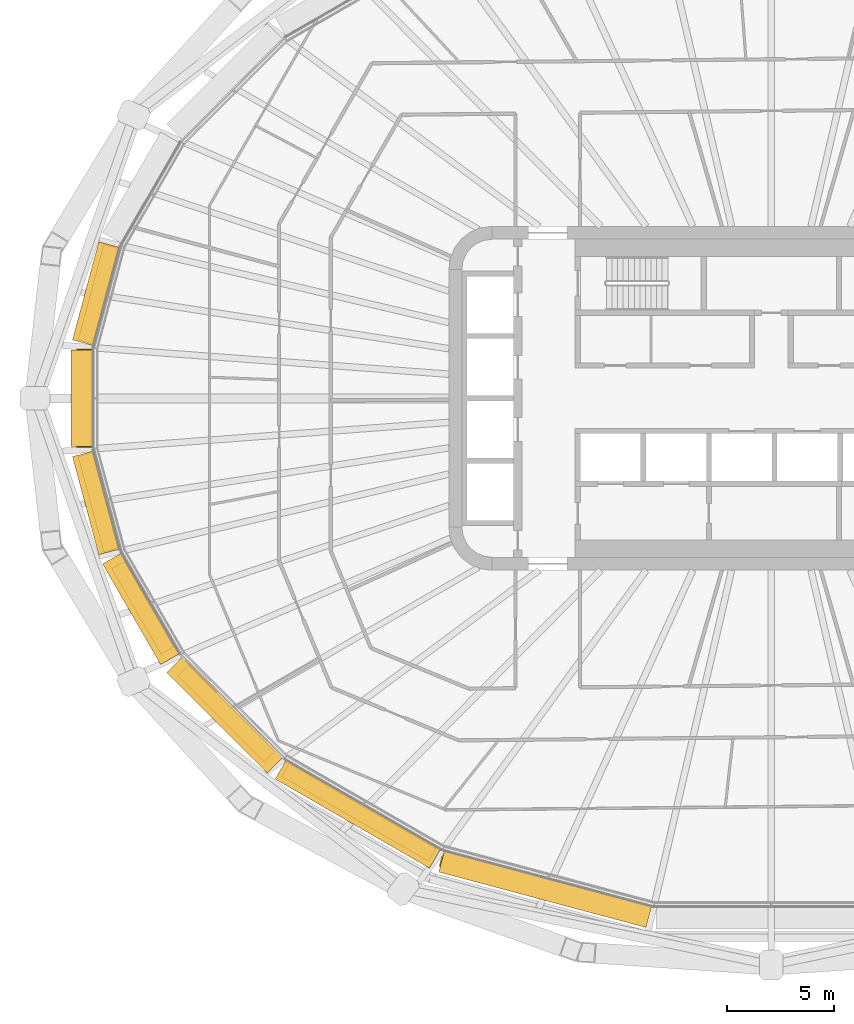
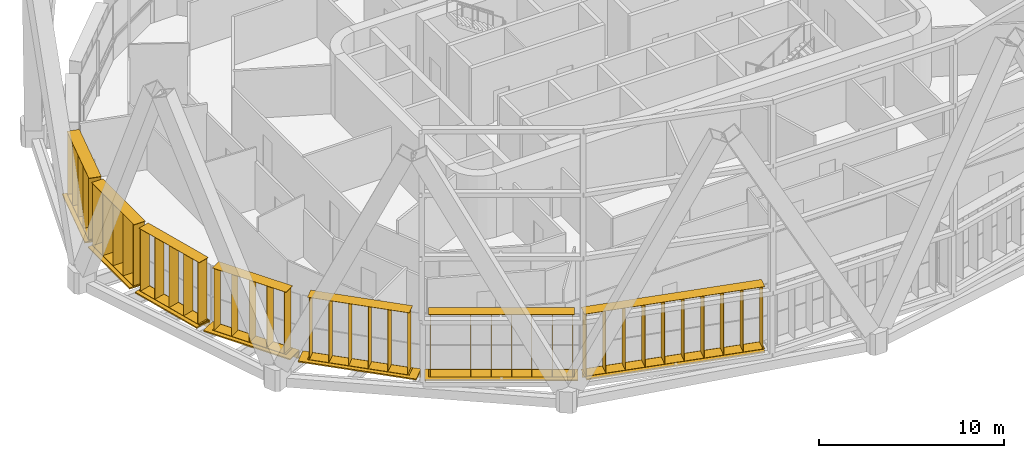
# One storey, part 20 of 25: 14 shading devices.
"""IFC4 building model written with IfcOpenShell, lengths in metres."""

from ifc_helpers import new_model, si_unit, direction, frame, origin, origin_2d, place, context, subcontext, project, spatial, rectangle, extrude, material, type_object, element, save


model = new_model("IFC4")

# Units and contexts
model_context = context("Model", 3, precision=1e-05, world=origin(), true_north=direction((0.0, 1.0)))
body_context = subcontext(model_context, "Body", "Model", "MODEL_VIEW")
ifc_project = project(units=[si_unit("LENGTHUNIT", "METRE"), si_unit("AREAUNIT", "SQUARE_METRE"), si_unit("VOLUMEUNIT", "CUBIC_METRE"), si_unit("PLANEANGLEUNIT", "RADIAN"), si_unit("MASSUNIT", "GRAM", prefix="KILO")], contexts=[model_context])

# Site, building, storey
site_placement = place(None, origin())
site = spatial("IfcSite", under=ifc_project, at=site_placement, CompositionType="ELEMENT")
building_placement = place(site_placement, origin())
building = spatial("IfcBuilding", under=site, at=building_placement, Name="Sahrelin Media Tower", CompositionType="ELEMENT")
storey_placement = place(building_placement, frame((0.0, 0.0, 79.800048828125)))
storey = spatial("IfcBuildingStorey", under=building, at=storey_placement, Name="L14", CompositionType="ELEMENT", Elevation=79.800048828125)

# Shading devices
ifc_material = material(Name="Champagne anodised aluminium 6063-T6", Category="aluminium")
shading_device_type_1 = type_object("IfcShadingDeviceType", Name="Fin cassette", PredefinedType="USERDEFINED", material=ifc_material)
placement_1 = place(storey_placement, frame((-30.915283203125, 4.732666015625, 0.0), z_axis=(0.0, 0.0, 1.0), x_axis=(0.258807731996, 0.965928857556, 0.0)))
element("IfcShadingDevice", 1, at=placement_1, inside=storey, type_object=shading_device_type_1, Name="L14:FIN:L14-11", ObjectType="FIN", PredefinedType="USERDEFINED", context=body_context, shape_type="SweptSolid", body=[
    extrude(rectangle(XDim=4.60009765625, YDim=0.699951171875, at=origin_2d()), frame((0.0, 0.419921875, 0.0)), (0.0, 0.0, 1.0), 0.02001953125),
    extrude(rectangle(XDim=4.60009765625, YDim=0.699951171875, at=origin_2d()), frame((0.0, 0.419921875, 4.10009765625)), (0.0, 0.0, 1.0), 0.02001953125),
    extrude(rectangle(XDim=0.02001953125, YDim=0.699951171875, at=origin_2d()), frame((-2.199951171875, 0.419921875, 0.010009765625), z_axis=(0.0, 0.0, 1.0), x_axis=(1.0, 0.0, 0.0)), (0.0, 0.0, 1.0), 4.10009765625),
    extrude(rectangle(XDim=0.02001953125, YDim=0.699951171875, at=origin_2d()), frame((-1.10009765625, 0.419921875, 0.010009765625), z_axis=(0.0, 0.0, 1.0), x_axis=(1.0, 0.0, 0.0)), (0.0, 0.0, 1.0), 4.10009765625),
    extrude(rectangle(XDim=0.02001953125, YDim=0.699951171875, at=origin_2d()), frame((0.0, 0.419921875, 0.010009765625), z_axis=(0.0, 0.0, 1.0), x_axis=(1.0, 0.0, 0.0)), (0.0, 0.0, 1.0), 4.10009765625),
    extrude(rectangle(XDim=0.02001953125, YDim=0.699951171875, at=origin_2d()), frame((1.10009765625, 0.419921875, 0.010009765625), z_axis=(0.0, 0.0, 1.0), x_axis=(1.0, 0.0, 0.0)), (0.0, 0.0, 1.0), 4.10009765625),
    extrude(rectangle(XDim=0.02001953125, YDim=0.699951171875, at=origin_2d()), frame((2.199951171875, 0.419921875, 0.010009765625), z_axis=(0.0, 0.0, 1.0), x_axis=(1.0, 0.0, 0.0)), (0.0, 0.0, 1.0), 4.10009765625),
])
placement_2 = place(storey_placement, frame((-31.552490234375, 0.0, 0.0), z_axis=(0.0, 0.0, 1.0), x_axis=(0.0, 1.0, 0.0)))
element("IfcShadingDevice", 2, at=placement_2, inside=storey, type_object=shading_device_type_1, Name="L14:FIN:L14-12", ObjectType="FIN", PredefinedType="USERDEFINED", context=body_context, shape_type="SweptSolid", body=[
    extrude(rectangle(XDim=4.60009765625, YDim=0.699951171875, at=origin_2d()), frame((0.0, 0.419921875, 0.0)), (0.0, 0.0, 1.0), 0.02001953125),
    extrude(rectangle(XDim=4.60009765625, YDim=0.699951171875, at=origin_2d()), frame((0.0, 0.419921875, 4.10009765625)), (0.0, 0.0, 1.0), 0.02001953125),
    extrude(rectangle(XDim=0.02001953125, YDim=0.699951171875, at=origin_2d()), frame((-2.199951171875, 0.419921875, 0.010009765625), z_axis=(0.0, 0.0, 1.0), x_axis=(1.0, 0.0, 0.0)), (0.0, 0.0, 1.0), 4.10009765625),
    extrude(rectangle(XDim=0.02001953125, YDim=0.699951171875, at=origin_2d()), frame((-1.10009765625, 0.419921875, 0.010009765625), z_axis=(0.0, 0.0, 1.0), x_axis=(1.0, 0.0, 0.0)), (0.0, 0.0, 1.0), 4.10009765625),
    extrude(rectangle(XDim=0.02001953125, YDim=0.699951171875, at=origin_2d()), frame((0.0, 0.419921875, 0.010009765625), z_axis=(0.0, 0.0, 1.0), x_axis=(1.0, 0.0, 0.0)), (0.0, 0.0, 1.0), 4.10009765625),
    extrude(rectangle(XDim=0.02001953125, YDim=0.699951171875, at=origin_2d()), frame((1.10009765625, 0.419921875, 0.010009765625), z_axis=(0.0, 0.0, 1.0), x_axis=(1.0, 0.0, 0.0)), (0.0, 0.0, 1.0), 4.10009765625),
    extrude(rectangle(XDim=0.02001953125, YDim=0.699951171875, at=origin_2d()), frame((2.199951171875, 0.419921875, 0.010009765625), z_axis=(0.0, 0.0, 1.0), x_axis=(1.0, 0.0, 0.0)), (0.0, 0.0, 1.0), 4.10009765625),
])
placement_3 = place(storey_placement, frame((-30.915283203125, -4.732666015625, 0.0), z_axis=(0.0, 0.0, 1.0), x_axis=(-0.258807731996, 0.965928857556, 0.0)))
element("IfcShadingDevice", 3, at=placement_3, inside=storey, type_object=shading_device_type_1, Name="L14:FIN:L14-13", ObjectType="FIN", PredefinedType="USERDEFINED", context=body_context, shape_type="SweptSolid", body=[
    extrude(rectangle(XDim=4.60009765625, YDim=0.699951171875, at=origin_2d()), frame((0.0, 0.419921875, 0.0)), (0.0, 0.0, 1.0), 0.02001953125),
    extrude(rectangle(XDim=4.60009765625, YDim=0.699951171875, at=origin_2d()), frame((0.0, 0.419921875, 4.10009765625)), (0.0, 0.0, 1.0), 0.02001953125),
    extrude(rectangle(XDim=0.02001953125, YDim=0.699951171875, at=origin_2d()), frame((-2.199951171875, 0.419921875, 0.010009765625), z_axis=(0.0, 0.0, 1.0), x_axis=(1.0, 0.0, 0.0)), (0.0, 0.0, 1.0), 4.10009765625),
    extrude(rectangle(XDim=0.02001953125, YDim=0.699951171875, at=origin_2d()), frame((-1.10009765625, 0.419921875, 0.010009765625), z_axis=(0.0, 0.0, 1.0), x_axis=(1.0, 0.0, 0.0)), (0.0, 0.0, 1.0), 4.10009765625),
    extrude(rectangle(XDim=0.02001953125, YDim=0.699951171875, at=origin_2d()), frame((0.0, 0.419921875, 0.010009765625), z_axis=(0.0, 0.0, 1.0), x_axis=(1.0, 0.0, 0.0)), (0.0, 0.0, 1.0), 4.10009765625),
    extrude(rectangle(XDim=0.02001953125, YDim=0.699951171875, at=origin_2d()), frame((1.10009765625, 0.419921875, 0.010009765625), z_axis=(0.0, 0.0, 1.0), x_axis=(1.0, 0.0, 0.0)), (0.0, 0.0, 1.0), 4.10009765625),
    extrude(rectangle(XDim=0.02001953125, YDim=0.699951171875, at=origin_2d()), frame((2.199951171875, 0.419921875, 0.010009765625), z_axis=(0.0, 0.0, 1.0), x_axis=(1.0, 0.0, 0.0)), (0.0, 0.0, 1.0), 4.10009765625),
])
placement_4 = place(storey_placement, frame((-28.876708984375, -9.5380859375, 0.0), z_axis=(0.0, 0.0, 1.0), x_axis=(-0.500011000363, 0.866019052629, 0.0)))
element("IfcShadingDevice", 4, at=placement_4, inside=storey, type_object=shading_device_type_1, Name="L14:FIN:L14-14", ObjectType="FIN", PredefinedType="USERDEFINED", context=body_context, shape_type="SweptSolid", body=[
    extrude(rectangle(XDim=4.60009765625, YDim=0.699951171875, at=origin_2d()), frame((0.0, 0.419921875, 0.0)), (0.0, 0.0, 1.0), 0.02001953125),
    extrude(rectangle(XDim=4.60009765625, YDim=0.699951171875, at=origin_2d()), frame((0.0, 0.419921875, 4.10009765625)), (0.0, 0.0, 1.0), 0.02001953125),
    extrude(rectangle(XDim=0.02001953125, YDim=0.699951171875, at=origin_2d()), frame((-2.199951171875, 0.419921875, 0.010009765625), z_axis=(0.0, 0.0, 1.0), x_axis=(1.0, 0.0, 0.0)), (0.0, 0.0, 1.0), 4.10009765625),
    extrude(rectangle(XDim=0.02001953125, YDim=0.699951171875, at=origin_2d()), frame((-1.10009765625, 0.419921875, 0.010009765625), z_axis=(0.0, 0.0, 1.0), x_axis=(1.0, 0.0, 0.0)), (0.0, 0.0, 1.0), 4.10009765625),
    extrude(rectangle(XDim=0.02001953125, YDim=0.699951171875, at=origin_2d()), frame((0.0, 0.419921875, 0.010009765625), z_axis=(0.0, 0.0, 1.0), x_axis=(1.0, 0.0, 0.0)), (0.0, 0.0, 1.0), 4.10009765625),
    extrude(rectangle(XDim=0.02001953125, YDim=0.699951171875, at=origin_2d()), frame((1.10009765625, 0.419921875, 0.010009765625), z_axis=(0.0, 0.0, 1.0), x_axis=(1.0, 0.0, 0.0)), (0.0, 0.0, 1.0), 4.10009765625),
    extrude(rectangle(XDim=0.02001953125, YDim=0.699951171875, at=origin_2d()), frame((2.199951171875, 0.419921875, 0.010009765625), z_axis=(0.0, 0.0, 1.0), x_axis=(1.0, 0.0, 0.0)), (0.0, 0.0, 1.0), 4.10009765625),
])
placement_5 = place(storey_placement, frame((-25.067138671875, -14.373291015625, 0.0), z_axis=(0.0, 0.0, 1.0), x_axis=(-0.707106781187, 0.707106781187, 0.0)))
element("IfcShadingDevice", 5, at=placement_5, inside=storey, type_object=shading_device_type_1, Name="L14:FIN:L14-15", ObjectType="FIN", PredefinedType="USERDEFINED", context=body_context, shape_type="SweptSolid", body=[
    extrude(rectangle(XDim=5.699951171875, YDim=0.699951171875, at=origin_2d()), frame((0.0, 0.419921875, 0.0)), (0.0, 0.0, 1.0), 0.02001953125),
    extrude(rectangle(XDim=5.699951171875, YDim=0.699951171875, at=origin_2d()), frame((0.0, 0.419921875, 4.10009765625)), (0.0, 0.0, 1.0), 0.02001953125),
    extrude(rectangle(XDim=0.02001953125, YDim=0.699951171875, at=origin_2d()), frame((-2.75, 0.419921875, 0.010009765625), z_axis=(0.0, 0.0, 1.0), x_axis=(1.0, 0.0, 0.0)), (0.0, 0.0, 1.0), 4.10009765625),
    extrude(rectangle(XDim=0.02001953125, YDim=0.699951171875, at=origin_2d()), frame((-1.64990234375, 0.419921875, 0.010009765625), z_axis=(0.0, 0.0, 1.0), x_axis=(1.0, 0.0, 0.0)), (0.0, 0.0, 1.0), 4.10009765625),
    extrude(rectangle(XDim=0.02001953125, YDim=0.699951171875, at=origin_2d()), frame((-0.550048828125, 0.419921875, 0.010009765625), z_axis=(0.0, 0.0, 1.0), x_axis=(1.0, 0.0, 0.0)), (0.0, 0.0, 1.0), 4.10009765625),
    extrude(rectangle(XDim=0.02001953125, YDim=0.699951171875, at=origin_2d()), frame((0.550048828125, 0.419921875, 0.010009765625), z_axis=(0.0, 0.0, 1.0), x_axis=(1.0, 0.0, 0.0)), (0.0, 0.0, 1.0), 4.10009765625),
    extrude(rectangle(XDim=0.02001953125, YDim=0.699951171875, at=origin_2d()), frame((1.64990234375, 0.419921875, 0.010009765625), z_axis=(0.0, 0.0, 1.0), x_axis=(1.0, 0.0, 0.0)), (0.0, 0.0, 1.0), 4.10009765625),
    extrude(rectangle(XDim=0.02001953125, YDim=0.699951171875, at=origin_2d()), frame((2.75, 0.419921875, 0.010009765625), z_axis=(0.0, 0.0, 1.0), x_axis=(1.0, 0.0, 0.0)), (0.0, 0.0, 1.0), 4.10009765625),
])
placement_6 = place(storey_placement, frame((-18.980712890625, -18.905029296875, 0.0), z_axis=(0.0, 0.0, 1.0), x_axis=(-0.866019052629, 0.500011000363, 0.0)))
element("IfcShadingDevice", 6, at=placement_6, inside=storey, type_object=shading_device_type_1, Name="L14:FIN:L14-16", ObjectType="FIN", PredefinedType="USERDEFINED", context=body_context, shape_type="SweptSolid", body=[
    extrude(rectangle(XDim=7.89990234375, YDim=0.699951171875, at=origin_2d()), frame((0.0, 0.419921875, 0.0)), (0.0, 0.0, 1.0), 0.02001953125),
    extrude(rectangle(XDim=7.89990234375, YDim=0.699951171875, at=origin_2d()), frame((0.0, 0.419921875, 4.10009765625)), (0.0, 0.0, 1.0), 0.02001953125),
    extrude(rectangle(XDim=0.02001953125, YDim=0.699951171875, at=origin_2d()), frame((-3.85009765625, 0.419921875, 0.010009765625), z_axis=(0.0, 0.0, 1.0), x_axis=(1.0, 0.0, 0.0)), (0.0, 0.0, 1.0), 4.10009765625),
    extrude(rectangle(XDim=0.02001953125, YDim=0.699951171875, at=origin_2d()), frame((-2.75, 0.419921875, 0.010009765625), z_axis=(0.0, 0.0, 1.0), x_axis=(1.0, 0.0, 0.0)), (0.0, 0.0, 1.0), 4.10009765625),
    extrude(rectangle(XDim=0.02001953125, YDim=0.699951171875, at=origin_2d()), frame((-1.64990234375, 0.419921875, 0.010009765625), z_axis=(0.0, 0.0, 1.0), x_axis=(1.0, 0.0, 0.0)), (0.0, 0.0, 1.0), 4.10009765625),
    extrude(rectangle(XDim=0.02001953125, YDim=0.699951171875, at=origin_2d()), frame((-0.550048828125, 0.419921875, 0.010009765625), z_axis=(0.0, 0.0, 1.0), x_axis=(1.0, 0.0, 0.0)), (0.0, 0.0, 1.0), 4.10009765625),
    extrude(rectangle(XDim=0.02001953125, YDim=0.699951171875, at=origin_2d()), frame((0.550048828125, 0.419921875, 0.010009765625), z_axis=(0.0, 0.0, 1.0), x_axis=(1.0, 0.0, 0.0)), (0.0, 0.0, 1.0), 4.10009765625),
    extrude(rectangle(XDim=0.02001953125, YDim=0.699951171875, at=origin_2d()), frame((1.64990234375, 0.419921875, 0.010009765625), z_axis=(0.0, 0.0, 1.0), x_axis=(1.0, 0.0, 0.0)), (0.0, 0.0, 1.0), 4.10009765625),
    extrude(rectangle(XDim=0.02001953125, YDim=0.699951171875, at=origin_2d()), frame((2.75, 0.419921875, 0.010009765625), z_axis=(0.0, 0.0, 1.0), x_axis=(1.0, 0.0, 0.0)), (0.0, 0.0, 1.0), 4.10009765625),
    extrude(rectangle(XDim=0.02001953125, YDim=0.699951171875, at=origin_2d()), frame((3.85009765625, 0.419921875, 0.010009765625), z_axis=(0.0, 0.0, 1.0), x_axis=(1.0, 0.0, 0.0)), (0.0, 0.0, 1.0), 4.10009765625),
])
placement_7 = place(storey_placement, frame((-10.385009765625, -22.346435546875, 0.0), z_axis=(0.0, 0.0, 1.0), x_axis=(-0.965928857556, 0.258807731996, 0.0)))
element("IfcShadingDevice", 7, at=placement_7, inside=storey, type_object=shading_device_type_1, Name="L14:FIN:L14-17", ObjectType="FIN", PredefinedType="USERDEFINED", context=body_context, shape_type="SweptSolid", body=[
    extrude(rectangle(XDim=10.10009765625, YDim=0.699951171875, at=origin_2d()), frame((0.0, 0.419921875, 0.0)), (0.0, 0.0, 1.0), 0.02001953125),
    extrude(rectangle(XDim=10.10009765625, YDim=0.699951171875, at=origin_2d()), frame((0.0, 0.419921875, 4.10009765625)), (0.0, 0.0, 1.0), 0.02001953125),
    extrude(rectangle(XDim=0.02001953125, YDim=0.699951171875, at=origin_2d()), frame((-4.949951171875, 0.419921875, 0.010009765625), z_axis=(0.0, 0.0, 1.0), x_axis=(1.0, 0.0, 0.0)), (0.0, 0.0, 1.0), 4.10009765625),
    extrude(rectangle(XDim=0.02001953125, YDim=0.699951171875, at=origin_2d()), frame((-3.85009765625, 0.419921875, 0.010009765625), z_axis=(0.0, 0.0, 1.0), x_axis=(1.0, 0.0, 0.0)), (0.0, 0.0, 1.0), 4.10009765625),
    extrude(rectangle(XDim=0.02001953125, YDim=0.699951171875, at=origin_2d()), frame((-2.75, 0.419921875, 0.010009765625), z_axis=(0.0, 0.0, 1.0), x_axis=(1.0, 0.0, 0.0)), (0.0, 0.0, 1.0), 4.10009765625),
    extrude(rectangle(XDim=0.02001953125, YDim=0.699951171875, at=origin_2d()), frame((-1.64990234375, 0.419921875, 0.010009765625), z_axis=(0.0, 0.0, 1.0), x_axis=(1.0, 0.0, 0.0)), (0.0, 0.0, 1.0), 4.10009765625),
    extrude(rectangle(XDim=0.02001953125, YDim=0.699951171875, at=origin_2d()), frame((-0.550048828125, 0.419921875, 0.010009765625), z_axis=(0.0, 0.0, 1.0), x_axis=(1.0, 0.0, 0.0)), (0.0, 0.0, 1.0), 4.10009765625),
    extrude(rectangle(XDim=0.02001953125, YDim=0.699951171875, at=origin_2d()), frame((0.550048828125, 0.419921875, 0.010009765625), z_axis=(0.0, 0.0, 1.0), x_axis=(1.0, 0.0, 0.0)), (0.0, 0.0, 1.0), 4.10009765625),
    extrude(rectangle(XDim=0.02001953125, YDim=0.699951171875, at=origin_2d()), frame((1.64990234375, 0.419921875, 0.010009765625), z_axis=(0.0, 0.0, 1.0), x_axis=(1.0, 0.0, 0.0)), (0.0, 0.0, 1.0), 4.10009765625),
    extrude(rectangle(XDim=0.02001953125, YDim=0.699951171875, at=origin_2d()), frame((2.75, 0.419921875, 0.010009765625), z_axis=(0.0, 0.0, 1.0), x_axis=(1.0, 0.0, 0.0)), (0.0, 0.0, 1.0), 4.10009765625),
    extrude(rectangle(XDim=0.02001953125, YDim=0.699951171875, at=origin_2d()), frame((3.85009765625, 0.419921875, 0.010009765625), z_axis=(0.0, 0.0, 1.0), x_axis=(1.0, 0.0, 0.0)), (0.0, 0.0, 1.0), 4.10009765625),
    extrude(rectangle(XDim=0.02001953125, YDim=0.699951171875, at=origin_2d()), frame((4.949951171875, 0.419921875, 0.010009765625), z_axis=(0.0, 0.0, 1.0), x_axis=(1.0, 0.0, 0.0)), (0.0, 0.0, 1.0), 4.10009765625),
])
shading_device_type_2 = type_object("IfcShadingDeviceType", Name="Sunshade band", PredefinedType="USERDEFINED", material=ifc_material)
element("IfcShadingDevice", 8, at=placement_1, inside=storey, type_object=shading_device_type_2, Name="L14:SUN:L14-11", ObjectType="SUNSHADE", PredefinedType="USERDEFINED", context=body_context, shape_type="SweptSolid", body=[
    extrude(rectangle(XDim=4.724609375, YDim=0.050048828125, at=origin_2d()), frame((0.0, 0.044921875, -0.55126953125)), (0.0, 0.0, 1.0), 0.471435546875),
    extrude(rectangle(XDim=4.724609375, YDim=1.0, at=origin_2d()), frame((0.0, 0.52001953125, -0.080078125)), (0.0, 0.0, 1.0), 0.080078125),
    extrude(rectangle(XDim=0.10009765625, YDim=0.074951171875, at=origin_2d()), frame((-2.26220703125, -0.017578125, -0.47021484375)), (0.0, 0.0, 1.0), 0.300048828125),
    extrude(rectangle(XDim=0.10009765625, YDim=0.074951171875, at=origin_2d()), frame((-0.754150390625, -0.017578125, -0.47021484375)), (0.0, 0.0, 1.0), 0.300048828125),
    extrude(rectangle(XDim=0.10009765625, YDim=0.074951171875, at=origin_2d()), frame((0.754150390625, -0.017578125, -0.47021484375)), (0.0, 0.0, 1.0), 0.300048828125),
    extrude(rectangle(XDim=0.10009765625, YDim=0.074951171875, at=origin_2d()), frame((2.26220703125, -0.017578125, -0.47021484375)), (0.0, 0.0, 1.0), 0.300048828125),
])
element("IfcShadingDevice", 9, at=placement_2, inside=storey, type_object=shading_device_type_2, Name="L14:SUN:L14-12", ObjectType="SUNSHADE", PredefinedType="USERDEFINED", context=body_context, shape_type="SweptSolid", body=[
    extrude(rectangle(XDim=4.50830078125, YDim=0.050048828125, at=origin_2d()), frame((0.0, 0.044921875, -0.55126953125)), (0.0, 0.0, 1.0), 0.471435546875),
    extrude(rectangle(XDim=4.50830078125, YDim=1.0, at=origin_2d()), frame((0.0, 0.52001953125, -0.080078125)), (0.0, 0.0, 1.0), 0.080078125),
    extrude(rectangle(XDim=0.10009765625, YDim=0.074951171875, at=origin_2d()), frame((-2.154296875, -0.017578125, -0.47021484375)), (0.0, 0.0, 1.0), 0.300048828125),
    extrude(rectangle(XDim=0.10009765625, YDim=0.074951171875, at=origin_2d()), frame((-0.718017578125, -0.017578125, -0.47021484375)), (0.0, 0.0, 1.0), 0.300048828125),
    extrude(rectangle(XDim=0.10009765625, YDim=0.074951171875, at=origin_2d()), frame((0.718017578125, -0.017578125, -0.47021484375)), (0.0, 0.0, 1.0), 0.300048828125),
    extrude(rectangle(XDim=0.10009765625, YDim=0.074951171875, at=origin_2d()), frame((2.154296875, -0.017578125, -0.47021484375)), (0.0, 0.0, 1.0), 0.300048828125),
])
element("IfcShadingDevice", 10, at=placement_3, inside=storey, type_object=shading_device_type_2, Name="L14:SUN:L14-13", ObjectType="SUNSHADE", PredefinedType="USERDEFINED", context=body_context, shape_type="SweptSolid", body=[
    extrude(rectangle(XDim=4.724609375, YDim=0.050048828125, at=origin_2d()), frame((0.0, 0.044921875, -0.55126953125)), (0.0, 0.0, 1.0), 0.471435546875),
    extrude(rectangle(XDim=4.724609375, YDim=1.0, at=origin_2d()), frame((0.0, 0.52001953125, -0.080078125)), (0.0, 0.0, 1.0), 0.080078125),
    extrude(rectangle(XDim=0.10009765625, YDim=0.074951171875, at=origin_2d()), frame((-2.26220703125, -0.017578125, -0.47021484375)), (0.0, 0.0, 1.0), 0.300048828125),
    extrude(rectangle(XDim=0.10009765625, YDim=0.074951171875, at=origin_2d()), frame((-0.754150390625, -0.017578125, -0.47021484375)), (0.0, 0.0, 1.0), 0.300048828125),
    extrude(rectangle(XDim=0.10009765625, YDim=0.074951171875, at=origin_2d()), frame((0.754150390625, -0.017578125, -0.47021484375)), (0.0, 0.0, 1.0), 0.300048828125),
    extrude(rectangle(XDim=0.10009765625, YDim=0.074951171875, at=origin_2d()), frame((2.26220703125, -0.017578125, -0.47021484375)), (0.0, 0.0, 1.0), 0.300048828125),
])
element("IfcShadingDevice", 11, at=placement_4, inside=storey, type_object=shading_device_type_2, Name="L14:SUN:L14-14", ObjectType="SUNSHADE", PredefinedType="USERDEFINED", context=body_context, shape_type="SweptSolid", body=[
    extrude(rectangle(XDim=5.40478515625, YDim=0.050048828125, at=origin_2d()), frame((0.0, 0.044921875, -0.55126953125)), (0.0, 0.0, 1.0), 0.471435546875),
    extrude(rectangle(XDim=5.40478515625, YDim=1.0, at=origin_2d()), frame((0.0, 0.52001953125, -0.080078125)), (0.0, 0.0, 1.0), 0.080078125),
    extrude(rectangle(XDim=0.10009765625, YDim=0.074951171875, at=origin_2d()), frame((-2.602294921875, -0.017578125, -0.47021484375)), (0.0, 0.0, 1.0), 0.300048828125),
    extrude(rectangle(XDim=0.10009765625, YDim=0.074951171875, at=origin_2d()), frame((-0.867431640625, -0.017578125, -0.47021484375)), (0.0, 0.0, 1.0), 0.300048828125),
    extrude(rectangle(XDim=0.10009765625, YDim=0.074951171875, at=origin_2d()), frame((0.867431640625, -0.017578125, -0.47021484375)), (0.0, 0.0, 1.0), 0.300048828125),
    extrude(rectangle(XDim=0.10009765625, YDim=0.074951171875, at=origin_2d()), frame((2.602294921875, -0.017578125, -0.47021484375)), (0.0, 0.0, 1.0), 0.300048828125),
])
element("IfcShadingDevice", 12, at=placement_5, inside=storey, type_object=shading_device_type_2, Name="L14:SUN:L14-15", ObjectType="SUNSHADE", PredefinedType="USERDEFINED", context=body_context, shape_type="SweptSolid", body=[
    extrude(rectangle(XDim=6.612060546875, YDim=0.050048828125, at=origin_2d()), frame((0.0, 0.044921875, -0.55126953125)), (0.0, 0.0, 1.0), 0.471435546875),
    extrude(rectangle(XDim=6.612060546875, YDim=1.0, at=origin_2d()), frame((0.0, 0.52001953125, -0.080078125)), (0.0, 0.0, 1.0), 0.080078125),
    extrude(rectangle(XDim=0.10009765625, YDim=0.074951171875, at=origin_2d()), frame((-3.2060546875, -0.017578125, -0.47021484375)), (0.0, 0.0, 1.0), 0.300048828125),
    extrude(rectangle(XDim=0.10009765625, YDim=0.074951171875, at=origin_2d()), frame((-1.60302734375, -0.017578125, -0.47021484375)), (0.0, 0.0, 1.0), 0.300048828125),
    extrude(rectangle(XDim=0.10009765625, YDim=0.074951171875, at=origin_2d()), frame((0.0, -0.017578125, -0.47021484375)), (0.0, 0.0, 1.0), 0.300048828125),
    extrude(rectangle(XDim=0.10009765625, YDim=0.074951171875, at=origin_2d()), frame((1.60302734375, -0.017578125, -0.47021484375)), (0.0, 0.0, 1.0), 0.300048828125),
    extrude(rectangle(XDim=0.10009765625, YDim=0.074951171875, at=origin_2d()), frame((3.2060546875, -0.017578125, -0.47021484375)), (0.0, 0.0, 1.0), 0.300048828125),
])
element("IfcShadingDevice", 13, at=placement_6, inside=storey, type_object=shading_device_type_2, Name="L14:SUN:L14-16", ObjectType="SUNSHADE", PredefinedType="USERDEFINED", context=body_context, shape_type="SweptSolid", body=[
    extrude(rectangle(XDim=8.293701171875, YDim=0.050048828125, at=origin_2d()), frame((0.0, 0.044921875, -0.55126953125)), (0.0, 0.0, 1.0), 0.471435546875),
    extrude(rectangle(XDim=8.293701171875, YDim=1.0, at=origin_2d()), frame((0.0, 0.52001953125, -0.080078125)), (0.0, 0.0, 1.0), 0.080078125),
    extrude(rectangle(XDim=0.10009765625, YDim=0.074951171875, at=origin_2d()), frame((-4.046875, -0.017578125, -0.47021484375)), (0.0, 0.0, 1.0), 0.300048828125),
    extrude(rectangle(XDim=0.10009765625, YDim=0.074951171875, at=origin_2d()), frame((-2.42822265625, -0.017578125, -0.47021484375)), (0.0, 0.0, 1.0), 0.300048828125),
    extrude(rectangle(XDim=0.10009765625, YDim=0.074951171875, at=origin_2d()), frame((-0.809326171875, -0.017578125, -0.47021484375)), (0.0, 0.0, 1.0), 0.300048828125),
    extrude(rectangle(XDim=0.10009765625, YDim=0.074951171875, at=origin_2d()), frame((0.809326171875, -0.017578125, -0.47021484375)), (0.0, 0.0, 1.0), 0.300048828125),
    extrude(rectangle(XDim=0.10009765625, YDim=0.074951171875, at=origin_2d()), frame((2.42822265625, -0.017578125, -0.47021484375)), (0.0, 0.0, 1.0), 0.300048828125),
    extrude(rectangle(XDim=0.10009765625, YDim=0.074951171875, at=origin_2d()), frame((4.046875, -0.017578125, -0.47021484375)), (0.0, 0.0, 1.0), 0.300048828125),
])
element("IfcShadingDevice", 14, at=placement_7, inside=storey, type_object=shading_device_type_2, Name="L14:SUN:L14-17", ObjectType="SUNSHADE", PredefinedType="USERDEFINED", context=body_context, shape_type="SweptSolid", body=[
    extrude(rectangle(XDim=9.982666015625, YDim=0.050048828125, at=origin_2d()), frame((0.0, 0.044921875, -0.55126953125)), (0.0, 0.0, 1.0), 0.471435546875),
    extrude(rectangle(XDim=9.982666015625, YDim=1.0, at=origin_2d()), frame((0.0, 0.52001953125, -0.080078125)), (0.0, 0.0, 1.0), 0.080078125),
    extrude(rectangle(XDim=0.10009765625, YDim=0.074951171875, at=origin_2d()), frame((-4.891357421875, -0.017578125, -0.47021484375)), (0.0, 0.0, 1.0), 0.300048828125),
    extrude(rectangle(XDim=0.10009765625, YDim=0.074951171875, at=origin_2d()), frame((-2.934814453125, -0.017578125, -0.47021484375)), (0.0, 0.0, 1.0), 0.300048828125),
    extrude(rectangle(XDim=0.10009765625, YDim=0.074951171875, at=origin_2d()), frame((-0.978271484375, -0.017578125, -0.47021484375)), (0.0, 0.0, 1.0), 0.300048828125),
    extrude(rectangle(XDim=0.10009765625, YDim=0.074951171875, at=origin_2d()), frame((0.978271484375, -0.017578125, -0.47021484375)), (0.0, 0.0, 1.0), 0.300048828125),
    extrude(rectangle(XDim=0.10009765625, YDim=0.074951171875, at=origin_2d()), frame((2.934814453125, -0.017578125, -0.47021484375)), (0.0, 0.0, 1.0), 0.300048828125),
    extrude(rectangle(XDim=0.10009765625, YDim=0.074951171875, at=origin_2d()), frame((4.891357421875, -0.017578125, -0.47021484375)), (0.0, 0.0, 1.0), 0.300048828125),
])

save(model, "model.ifc")
